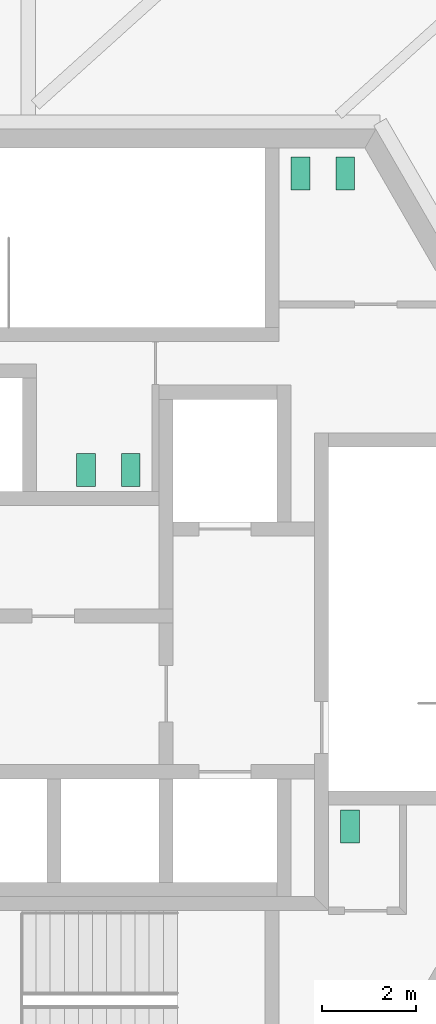
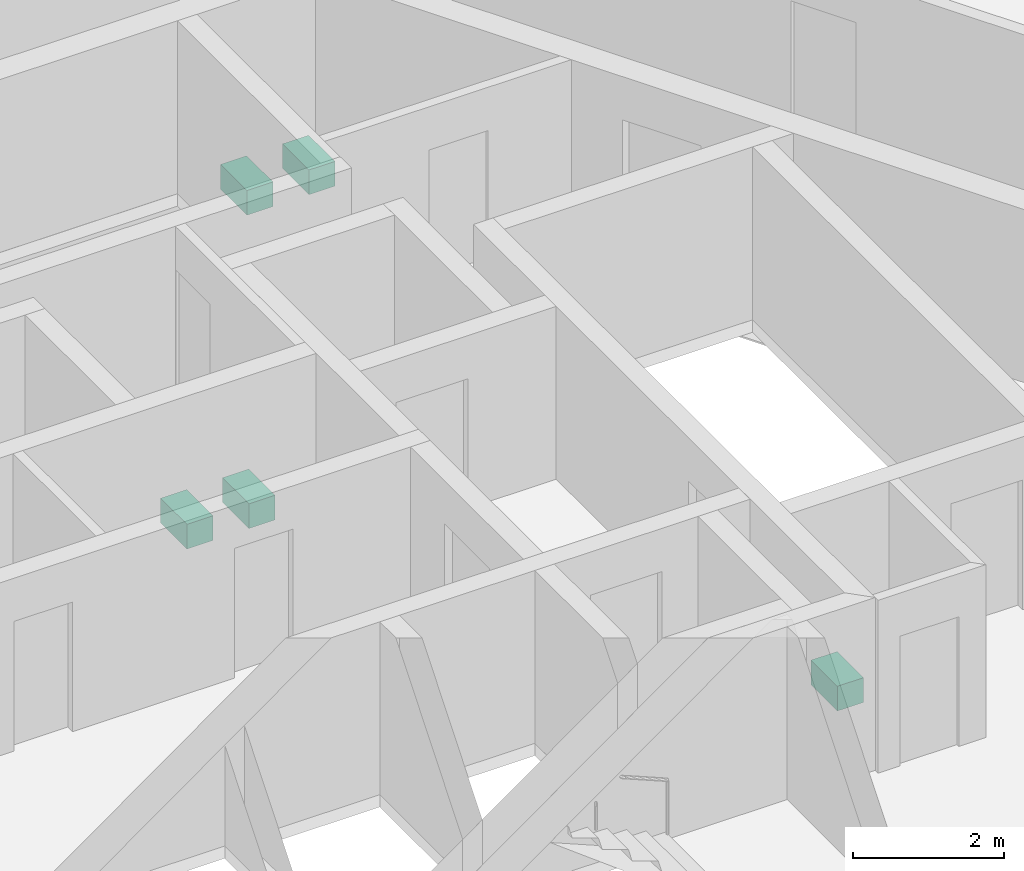
# One storey, part 11 of 11: 5 sanitary terminals.
"""IFC4 building model written with IfcOpenShell, lengths in metres."""

from ifc_helpers import new_model, si_unit, direction, frame, origin, origin_2d, place, context, subcontext, project, spatial, rectangle, extrude, source, transform, mapped, material, element, save


model = new_model("IFC4")

# Units and contexts
model_context = context("Model", 3, precision=1e-05, world=origin(), true_north=direction((0.0, 1.0)))
body_context = subcontext(model_context, "Body", "Model", "MODEL_VIEW")
ifc_project = project(units=[si_unit("LENGTHUNIT", "METRE"), si_unit("AREAUNIT", "SQUARE_METRE"), si_unit("VOLUMEUNIT", "CUBIC_METRE"), si_unit("PLANEANGLEUNIT", "RADIAN"), si_unit("MASSUNIT", "GRAM", prefix="KILO")], contexts=[model_context])

# Site, building, storey
site_placement = place(None, origin())
site = spatial("IfcSite", under=ifc_project, at=site_placement, CompositionType="ELEMENT")
building_placement = place(site_placement, origin())
building = spatial("IfcBuilding", under=site, at=building_placement, Name="Triune Harvest Tower", CompositionType="ELEMENT")
storey_placement = place(building_placement, frame((0.0, 0.0, 296.699951171875)))
storey = spatial("IfcBuildingStorey", under=building, at=storey_placement, Name="L78", CompositionType="ELEMENT", Elevation=296.699951171875)

# Sanitary terminals
ifc_material = material(Name="Vitreous china")
shared_shape = source(origin(), body_context, "Body", "SweptSolid", [
    extrude(rectangle(XDim=0.39990234375, YDim=0.699951171875, at=origin_2d()), origin(), (0.0, 0.0, 1.0), 0.39990234375),
])
for number, where, z_axis, x_axis, name in (
    (1, (4.39990234375, 9.449951171875, 0.0), (0.0, 0.0, 1.0), (1.0, 0.0, 0.0), "Toilet pan L78.c01"),
    (2, (5.35009765625, 9.449951171875, 0.0), (0.0, 0.0, 1.0), (1.0, 0.0, 0.0), "Toilet pan L78.c02"),
    (3, (0.800048828125, 3.159912109375, 0.0), (0.0, 0.0, 1.0), (-1.0, 0.0, 0.0), "Toilet pan L78.c03"),
    (4, (-0.14990234375, 3.159912109375, 0.0), (0.0, 0.0, 1.0), (-1.0, 0.0, 0.0), "Toilet pan L78.c04"),
    (5, (5.449951171875, -4.39990234375, 0.0), (0.0, 0.0, 1.0), (1.0, 0.0, 0.0), "Toilet pan L78.c05"),
):
    element("IfcSanitaryTerminal", number, at=place(storey_placement, frame(where, z_axis=z_axis, x_axis=x_axis)), inside=storey, material=ifc_material, Name=name, PredefinedType="TOILETPAN", context=body_context, shape_type="MappedRepresentation", body=[
        mapped(shared_shape, transform((0.0, 0.0, 0.0), scale=1.0)),
    ])

save(model, "model.ifc")
